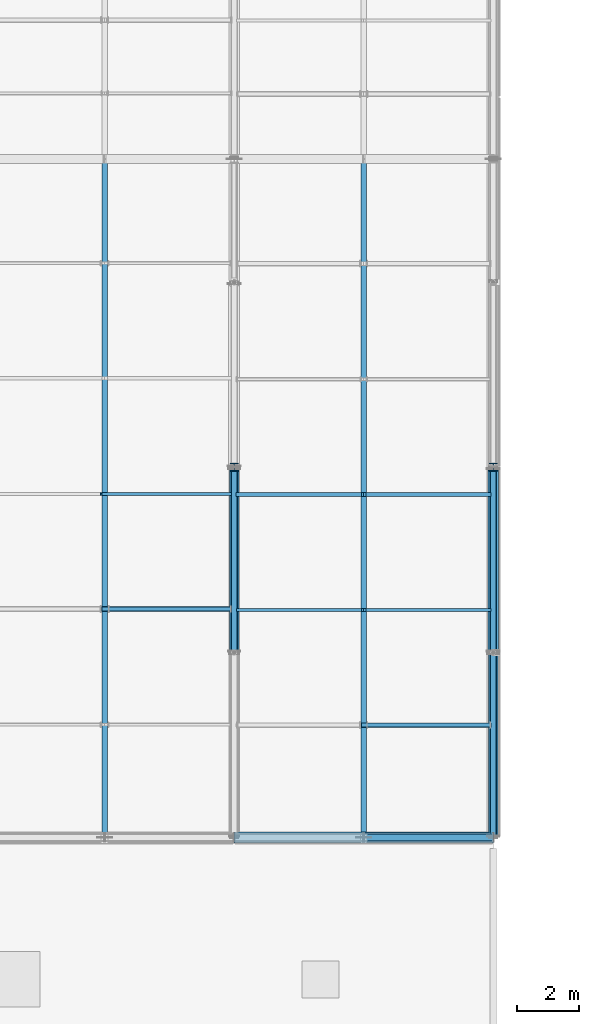
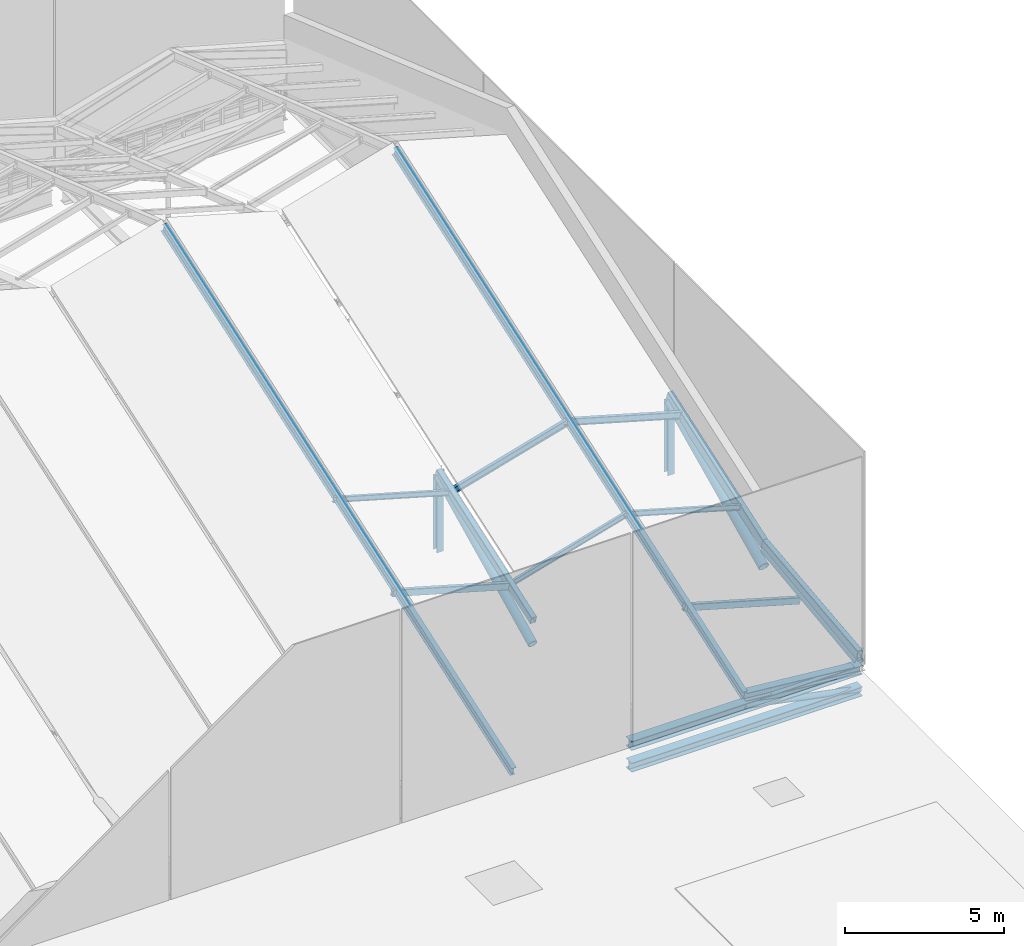
# One storey, part 23 of 77: 21 members.
"""IFC4 building model written with IfcOpenShell, lengths in metres."""

from ifc_helpers import new_model, si_unit, direction, frame, origin, origin_2d, place, context, subcontext, project, spatial, hollow_rectangle, hollow_circle, i_section, extrude, material, material_profile, profile_set, type_object, element, save


model = new_model("IFC4")

# Units and contexts
model_context = context("Model", 3, precision=1e-05, world=origin(), true_north=direction((0.0, 1.0)))
body_context = subcontext(model_context, "Body", "Model", "MODEL_VIEW")
ifc_project = project(units=[si_unit("LENGTHUNIT", "METRE"), si_unit("AREAUNIT", "SQUARE_METRE"), si_unit("VOLUMEUNIT", "CUBIC_METRE"), si_unit("PLANEANGLEUNIT", "RADIAN"), si_unit("MASSUNIT", "GRAM", prefix="KILO")], contexts=[model_context])

# Site, building, storey
site_placement = place(None, origin())
site = spatial("IfcSite", under=ifc_project, at=site_placement, CompositionType="ELEMENT")
building_placement = place(site_placement, origin())
building = spatial("IfcBuilding", under=site, at=building_placement, Name="Larkvane Passage Sports Hall", CompositionType="ELEMENT")
storey_placement = place(building_placement, frame((0.0, 0.0, 22.199951171875)))
storey = spatial("IfcBuildingStorey", under=building, at=storey_placement, Name="RF", CompositionType="ELEMENT", Elevation=22.199951171875)

# Members
ifc_material_1 = material(Name="Steel S355JR", Category="steel")
ifc_material_profile_1 = material_profile(ifc_material_1, hollow_circle(Radius=0.108154296875, WallThickness=0.00830078125, at=origin_2d()), Name="CHS-216.3x8.2")
ifc_profile_set_1 = profile_set([ifc_material_profile_1], Name="Steel S355JR")
member_type_1 = type_object("IfcMemberType", Name="MBR-BR-CHS216", PredefinedType="BRACE", material=ifc_profile_set_1)
member_1_placement = place(storey_placement, frame((89.39990234375, 39.60009765625, 0.050048828125), z_axis=(0.981025535986, 0.0, -0.193878564424), x_axis=(0.0, 1.0, 0.0)))
element("IfcMember", 1, at=member_1_placement, inside=storey, type_object=member_type_1, Name="Arena south valley eave truss web 7B", PredefinedType="BRACE", context=body_context, shape_type="SweptSolid", body=[
    extrude(hollow_circle(Radius=0.108154296875, WallThickness=0.00830078125, at=origin_2d()), origin(), (0.0, 0.0, 1.0), 4.281494140625),
])
ifc_material_2 = material(Name="Steel S460N", Category="steel")
ifc_material_profile_2 = material_profile(ifc_material_2, hollow_circle(Radius=0.1591796875, WallThickness=0.01025390625, at=origin_2d()), Name="CHS-318.5x10.3")
ifc_profile_set_2 = profile_set([ifc_material_profile_2], Name="Steel S460N")
member_type_2 = type_object("IfcMemberType", Name="MBR-BR-CHS318", PredefinedType="BRACE", material=ifc_profile_set_2)
member_2_placement = place(storey_placement, frame((85.199951171875, 45.64990234375, 0.215087890625), z_axis=(0.0, 0.899233901917, 0.437468158433), x_axis=(-1.0, 0.0, 0.0)))
element("IfcMember", 2, at=member_2_placement, inside=storey, type_object=member_type_2, Name="Arena roof truss 7 web brace 2", PredefinedType="BRACE", context=body_context, shape_type="SweptSolid", body=[
    extrude(hollow_circle(Radius=0.1591796875, WallThickness=0.01025390625, at=origin_2d()), origin(), (0.0, 0.0, 1.0), 6.561279296875),
])
member_3_placement = place(storey_placement, frame((93.60009765625, 39.64990234375, 0.239990234375), z_axis=(0.0, 0.992582545617, 0.121572571483), x_axis=(-1.0, 0.0, 0.0)))
element("IfcMember", 3, at=member_3_placement, inside=storey, type_object=member_type_2, Name="Arena roof truss 8 web brace 1", PredefinedType="BRACE", context=body_context, shape_type="SweptSolid", body=[
    extrude(hollow_circle(Radius=0.1591796875, WallThickness=0.01025390625, at=origin_2d()), origin(), (0.0, 0.0, 1.0), 5.9443359375),
])
ifc_material_profile_3 = material_profile(ifc_material_2, hollow_circle(Radius=0.177734375, WallThickness=0.0126953125, at=origin_2d()), Name="CHS-355.6x12.7")
ifc_profile_set_3 = profile_set([ifc_material_profile_3], Name="Steel S460N")
member_type_3 = type_object("IfcMemberType", Name="MBR-BR-CHS355", PredefinedType="BRACE", material=ifc_profile_set_3)
member_4_placement = place(storey_placement, frame((93.60009765625, 45.64990234375, 0.239990234375), z_axis=(0.0, 0.903687579927, 0.428192430907), x_axis=(-1.0, 0.0, 0.0)))
element("IfcMember", 4, at=member_4_placement, inside=storey, type_object=member_type_3, Name="Arena roof truss 8 web brace 2", PredefinedType="BRACE", context=body_context, shape_type="SweptSolid", body=[
    extrude(hollow_circle(Radius=0.177734375, WallThickness=0.0126953125, at=origin_2d()), origin(), (0.0, 0.0, 1.0), 6.529052734375),
])
ifc_material_profile_4 = material_profile(ifc_material_2, i_section(OverallWidth=0.300048828125, OverallDepth=0.300048828125, WebThickness=0.010009765625, FlangeThickness=0.014892578125, FilletRadius=0.012939453125, at=origin_2d()), Name="H-300x300x10x15")
ifc_profile_set_4 = profile_set([ifc_material_profile_4], Name="Steel S460N")
member_type_4 = type_object("IfcMemberType", Name="MBR-CH-H300", PredefinedType="CHORD", material=ifc_profile_set_4)
member_5_placement = place(storey_placement, frame((89.39990234375, 39.60009765625, 0.449951171875), z_axis=(0.995498072864, 0.0, -0.094781785826), x_axis=(0.0, 1.0, 0.0)))
element("IfcMember", 5, at=member_5_placement, inside=storey, type_object=member_type_4, Name="Arena roof fold tie 7-SEAVE-E", PredefinedType="CHORD", context=body_context, shape_type="SweptSolid", body=[
    extrude(i_section(OverallWidth=0.300048828125, OverallDepth=0.300048828125, WebThickness=0.010009765625, FlangeThickness=0.014892578125, FilletRadius=0.012939453125, at=origin_2d()), origin(), (0.0, 0.0, 1.0), 4.21923828125),
])
ifc_material_profile_5 = material_profile(ifc_material_2, i_section(OverallWidth=0.35009765625, OverallDepth=0.35009765625, WebThickness=0.011962890625, FlangeThickness=0.01904296875, FilletRadius=0.012939453125, at=origin_2d()), Name="H-350x350x12x19")
ifc_profile_set_5 = profile_set([ifc_material_profile_5], Name="Steel S460N")
member_type_5 = type_object("IfcMemberType", Name="MBR-CH-H350", PredefinedType="CHORD", material=ifc_profile_set_5)
for number, where, z_axis, x_axis, name in (
    (6, (85.199951171875, 39.60009765625, -0.780029296875), (1.0, 0.0, 0.0), (0.0, 1.0, 0.0), "Arena south valley eave truss bottom chord 7"),
    (7, (85.199951171875, 39.60009765625, 0.050048828125), (1.0, 0.0, 0.0), (0.0, 1.0, 0.0), "Arena south valley eave truss top chord 7"),
):
    element("IfcMember", number, at=place(storey_placement, frame(where, z_axis=z_axis, x_axis=x_axis)), inside=storey, type_object=member_type_5, Name=name, PredefinedType="CHORD", context=body_context, shape_type="SweptSolid", body=[
        extrude(i_section(OverallWidth=0.35009765625, OverallDepth=0.35009765625, WebThickness=0.011962890625, FlangeThickness=0.01904296875, FilletRadius=0.012939453125, at=origin_2d()), origin(), (0.0, 0.0, 1.0), 8.400146484375),
    ])
ifc_material_profile_6 = material_profile(ifc_material_2, hollow_rectangle(XDim=0.199951171875, YDim=0.300048828125, WallThickness=0.011962890625, InnerFilletRadius=0.011962890625, OuterFilletRadius=0.02392578125, at=origin_2d()), Name="RHS-300x200x12")
ifc_profile_set_6 = profile_set([ifc_material_profile_6], Name="Steel S460N")
member_type_6 = type_object("IfcMemberType", Name="MBR-CH-RHS300", PredefinedType="CHORD", material=ifc_profile_set_6)
member_6_placement = place(storey_placement, frame((85.199951171875, 45.60009765625, 1.15283203125), z_axis=(0.0, 0.945188910593, 0.326524001096), x_axis=(-1.0, 0.0, 0.0)))
element("IfcMember", 8, at=member_6_placement, inside=storey, type_object=member_type_6, Name="Arena roof truss 7 top chord 2", PredefinedType="CHORD", context=body_context, shape_type="SweptSolid", body=[
    extrude(hollow_rectangle(XDim=0.199951171875, YDim=0.300048828125, WallThickness=0.011962890625, InnerFilletRadius=0.011962890625, OuterFilletRadius=0.02392578125, at=origin_2d()), origin(), (0.0, 0.0, 1.0), 6.347900390625),
])
ifc_material_profile_7 = material_profile(ifc_material_2, hollow_rectangle(XDim=0.199951171875, YDim=0.39990234375, WallThickness=0.013916015625, InnerFilletRadius=0.013916015625, OuterFilletRadius=0.028076171875, at=origin_2d()), Name="RHS-400x200x14")
ifc_profile_set_7 = profile_set([ifc_material_profile_7], Name="Steel S460N")
member_type_7 = type_object("IfcMemberType", Name="MBR-CH-RHS400", PredefinedType="CHORD", material=ifc_profile_set_7)
member_7_placement = place(storey_placement, frame((93.60009765625, 39.60009765625, 0.5), z_axis=(0.0, 0.994132743148, 0.108166949674), x_axis=(-1.0, 0.0, 0.0)))
element("IfcMember", 9, at=member_7_placement, inside=storey, type_object=member_type_7, Name="Arena roof truss 8 top chord 1", PredefinedType="CHORD", context=body_context, shape_type="SweptSolid", body=[
    extrude(hollow_rectangle(XDim=0.199951171875, YDim=0.39990234375, WallThickness=0.013916015625, InnerFilletRadius=0.013916015625, OuterFilletRadius=0.028076171875, at=origin_2d()), origin(), (0.0, 0.0, 1.0), 6.035400390625),
])
member_8_placement = place(storey_placement, frame((93.60009765625, 45.60009765625, 1.15283203125), z_axis=(0.0, 0.945188910593, 0.326524001096), x_axis=(-1.0, 0.0, 0.0)))
element("IfcMember", 10, at=member_8_placement, inside=storey, type_object=member_type_7, Name="Arena roof truss 8 top chord 2", PredefinedType="CHORD", context=body_context, shape_type="SweptSolid", body=[
    extrude(hollow_rectangle(XDim=0.199951171875, YDim=0.39990234375, WallThickness=0.013916015625, InnerFilletRadius=0.013916015625, OuterFilletRadius=0.028076171875, at=origin_2d()), origin(), (0.0, 0.0, 1.0), 6.347900390625),
])
ifc_material_profile_8 = material_profile(ifc_material_1, i_section(OverallWidth=0.10009765625, OverallDepth=0.199951171875, WebThickness=0.005615234375, FlangeThickness=0.008056640625, FilletRadius=0.008056640625, at=origin_2d()), Name="H-200x100x5.5x8")
ifc_profile_set_8 = profile_set([ifc_material_profile_8], Name="Steel S355JR")
member_type_8 = type_object("IfcMemberType", Name="MBR-PR-H200", PredefinedType="PURLIN", material=ifc_profile_set_8)
for number, where, z_axis, x_axis, name in (
    (11, (80.884033203125, 50.740234375, 4.194091796875), (0.961511291812, 0.0, -0.274765419436), (0.0, 1.0, 0.0), "Folded roof purlin FRP-B6-SE-3"),
    (12, (85.295166015625, 46.97509765625, 1.77490234375), (0.961511291812, 0.0, 0.274765419436), (0.0, 1.0, 0.0), "Folded roof purlin FRP-B7-SW-2"),
    (13, (89.304931640625, 46.97509765625, 2.97509765625), (0.961511291812, 0.0, -0.274765419436), (0.0, 1.0, 0.0), "Folded roof purlin FRP-B7-SE-2"),
):
    element("IfcMember", number, at=place(storey_placement, frame(where, z_axis=z_axis, x_axis=x_axis)), inside=storey, type_object=member_type_8, Name=name, PredefinedType="PURLIN", context=body_context, shape_type="SweptSolid", body=[
        extrude(i_section(OverallWidth=0.10009765625, OverallDepth=0.199951171875, WebThickness=0.005615234375, FlangeThickness=0.008056640625, FilletRadius=0.008056640625, at=origin_2d()), origin(), (0.0, 0.0, 1.0), 4.3681640625),
    ])
ifc_material_profile_9 = material_profile(ifc_material_1, i_section(OverallWidth=0.125, OverallDepth=0.25, WebThickness=0.006103515625, FlangeThickness=0.009033203125, FilletRadius=0.008056640625, at=origin_2d()), Name="H-250x125x6x9")
ifc_profile_set_9 = profile_set([ifc_material_profile_9], Name="Steel S355JR")
member_type_9 = type_object("IfcMemberType", Name="MBR-PR-H250", PredefinedType="PURLIN", material=ifc_profile_set_9)
for number, where, z_axis, x_axis, name in (
    (14, (85.3017578125, 50.722900390625, 3.044189453125), (0.96152605678, 0.0, 0.274713745804), (0.0, 1.0, 0.0), "Folded roof purlin FRP-B7-SW-3"),
    (15, (89.29833984375, 50.722900390625, 4.244140625), (0.96152605678, 0.0, -0.274713745804), (0.0, 1.0, 0.0), "Folded roof purlin FRP-B7-SE-3"),
):
    element("IfcMember", number, at=place(storey_placement, frame(where, z_axis=z_axis, x_axis=x_axis)), inside=storey, type_object=member_type_9, Name=name, PredefinedType="PURLIN", context=body_context, shape_type="SweptSolid", body=[
        extrude(i_section(OverallWidth=0.125, OverallDepth=0.25, WebThickness=0.006103515625, FlangeThickness=0.009033203125, FilletRadius=0.008056640625, at=origin_2d()), origin(), (0.0, 0.0, 1.0), 4.367919921875),
    ])
ifc_material_profile_10 = material_profile(ifc_material_1, hollow_rectangle(XDim=0.14990234375, YDim=0.25, WallThickness=0.009033203125, InnerFilletRadius=0.009033203125, OuterFilletRadius=0.01806640625, at=origin_2d()), Name="RHS-250x150x9")
ifc_profile_set_10 = profile_set([ifc_material_profile_10], Name="Steel S355JR")
member_type_10 = type_object("IfcMemberType", Name="MBR-PR-RHS250", PredefinedType="PURLIN", material=ifc_profile_set_10)
for number, where, z_axis, x_axis, name in (
    (16, (80.87744140625, 47.008056640625, 2.879150390625), (0.96152605678, 0.0, -0.274713745804), (0.0, 1.0, 0.0), "Folded roof purlin FRP-B6-SE-2"),
    (17, (89.29833984375, 43.242919921875, 1.66015625), (0.96152605678, 0.0, -0.274713745804), (0.0, 1.0, 0.0), "Folded roof purlin FRP-B7-SE-1"),
):
    element("IfcMember", number, at=place(storey_placement, frame(where, z_axis=z_axis, x_axis=x_axis)), inside=storey, type_object=member_type_10, Name=name, PredefinedType="PURLIN", context=body_context, shape_type="SweptSolid", body=[
        extrude(hollow_rectangle(XDim=0.14990234375, YDim=0.25, WallThickness=0.009033203125, InnerFilletRadius=0.009033203125, OuterFilletRadius=0.01806640625, at=origin_2d()), origin(), (0.0, 0.0, 1.0), 4.367919921875),
    ])
ifc_material_profile_11 = material_profile(ifc_material_1, i_section(OverallWidth=0.175048828125, OverallDepth=0.35009765625, WebThickness=0.007080078125, FlangeThickness=0.010986328125, FilletRadius=0.012939453125, at=origin_2d()), Name="H-350x175x7x11")
ifc_profile_set_11 = profile_set([ifc_material_profile_11], Name="Steel S355JR")
member_type_11 = type_object("IfcMemberType", Name="MBR-RF-H350", PredefinedType="RAFTER", material=ifc_profile_set_11)
for number, where, z_axis, x_axis, name in (
    (18, (81.0, 39.60009765625, 0.449951171875), (0.0, 0.945188910593, 0.326524001096), (-1.0, 0.0, 0.0), "Arena roof fold peak rafter 6-S"),
    (19, (89.39990234375, 39.60009765625, 0.449951171875), (0.0, 0.945188910593, 0.326524001096), (-1.0, 0.0, 0.0), "Arena roof fold peak rafter 7-S"),
):
    element("IfcMember", number, at=place(storey_placement, frame(where, z_axis=z_axis, x_axis=x_axis)), inside=storey, type_object=member_type_11, Name=name, PredefinedType="RAFTER", context=body_context, shape_type="SweptSolid", body=[
        extrude(i_section(OverallWidth=0.175048828125, OverallDepth=0.35009765625, WebThickness=0.007080078125, FlangeThickness=0.010986328125, FilletRadius=0.012939453125, at=origin_2d()), origin(), (0.0, 0.0, 1.0), 23.27587890625),
    ])
ifc_material_profile_12 = material_profile(ifc_material_1, i_section(OverallWidth=0.25, OverallDepth=0.25, WebThickness=0.009033203125, FlangeThickness=0.013916015625, FilletRadius=0.012939453125, at=origin_2d()), Name="H-250x250x9x14")
ifc_profile_set_12 = profile_set([ifc_material_profile_12], Name="Steel S355JR")
member_type_12 = type_object("IfcMemberType", Name="MBR-ST-H250", PredefinedType="STRUT", material=ifc_profile_set_12)
member_9_placement = place(storey_placement, frame((85.199951171875, 51.60009765625, 0.215087890625), z_axis=(0.0, 0.0, 1.0), x_axis=(1.0, 0.0, 0.0)))
element("IfcMember", 20, at=member_9_placement, inside=storey, type_object=member_type_12, Name="Arena roof truss 7 vertical strut 2", PredefinedType="STRUT", context=body_context, shape_type="SweptSolid", body=[
    extrude(i_section(OverallWidth=0.25, OverallDepth=0.25, WebThickness=0.009033203125, FlangeThickness=0.013916015625, FilletRadius=0.012939453125, at=origin_2d()), origin(), (0.0, 0.0, 1.0), 2.870361328125),
])
member_10_placement = place(storey_placement, frame((93.60009765625, 51.60009765625, 0.239990234375), z_axis=(0.0, 0.0, 1.0), x_axis=(1.0, 0.0, 0.0)))
element("IfcMember", 21, at=member_10_placement, inside=storey, type_object=member_type_12, Name="Arena roof truss 8 vertical strut 2", PredefinedType="STRUT", context=body_context, shape_type="SweptSolid", body=[
    extrude(i_section(OverallWidth=0.25, OverallDepth=0.25, WebThickness=0.009033203125, FlangeThickness=0.013916015625, FilletRadius=0.012939453125, at=origin_2d()), origin(), (0.0, 0.0, 1.0), 2.795654296875),
])

save(model, "model.ifc")
